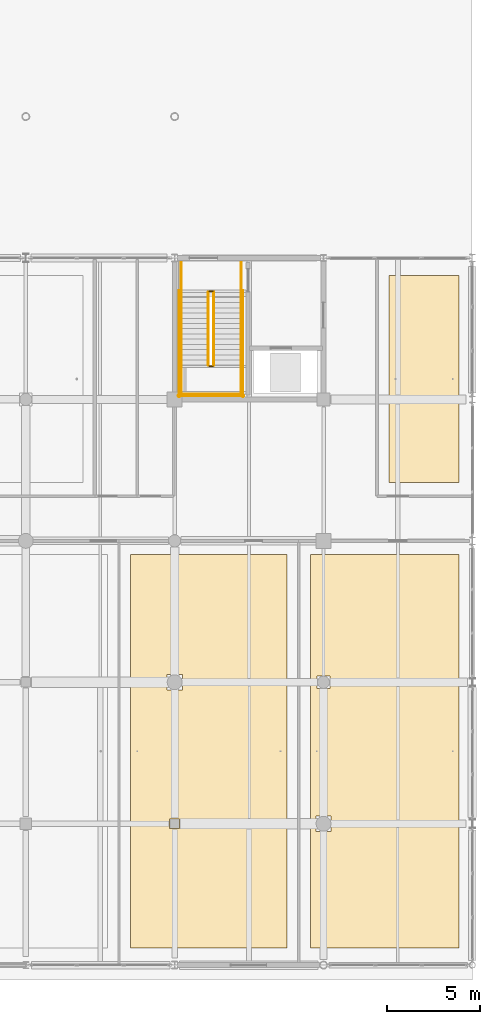
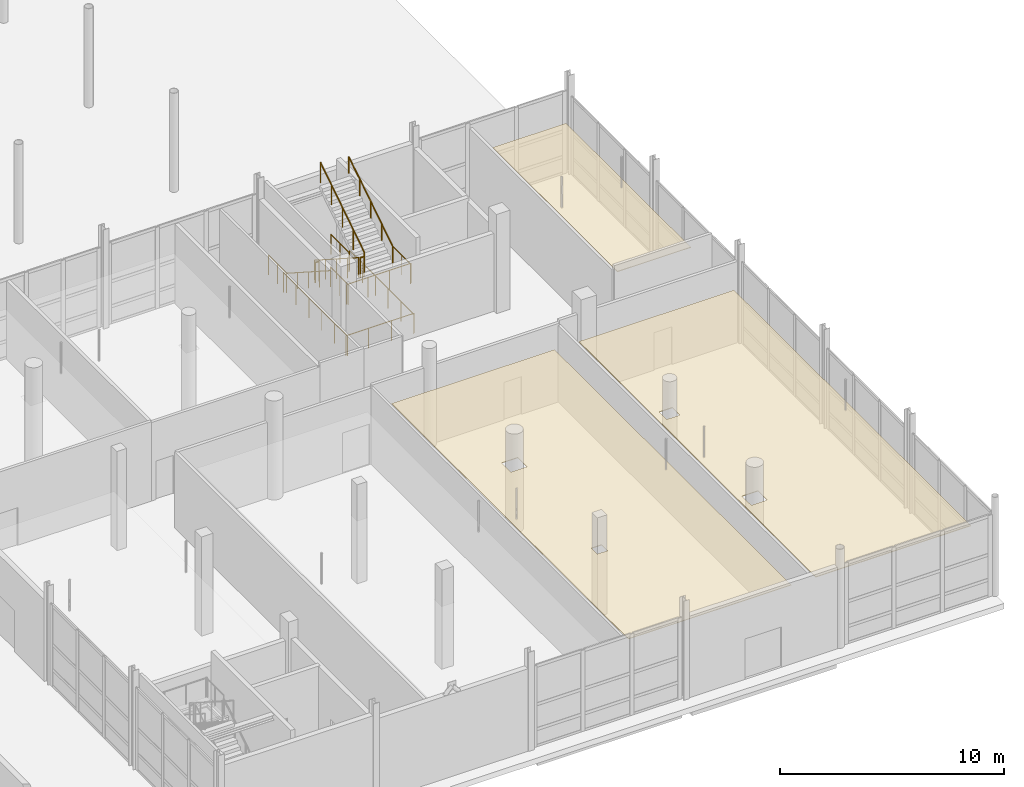
# One storey, part 122 of 126: 14 railings, 3 coverings.
"""IFC4 building model written with IfcOpenShell, lengths in metres."""

from ifc_helpers import new_model, si_unit, direction, frame, origin, origin_2d, place, context, subcontext, project, spatial, polyline, circle, outline, extrude, material, layer, layer_set, type_object, element, save


model = new_model("IFC4")

# Units and contexts
model_context = context("Model", 3, precision=1e-05, world=origin(), true_north=direction((0.0, 1.0)))
body_context = subcontext(model_context, "Body", "Model", "MODEL_VIEW")
ifc_project = project(units=[si_unit("LENGTHUNIT", "METRE"), si_unit("AREAUNIT", "SQUARE_METRE"), si_unit("VOLUMEUNIT", "CUBIC_METRE"), si_unit("PLANEANGLEUNIT", "RADIAN"), si_unit("MASSUNIT", "GRAM", prefix="KILO")], contexts=[model_context])

# Site, building, storey
site_placement = place(None, origin())
site = spatial("IfcSite", under=ifc_project, at=site_placement, CompositionType="ELEMENT")
building_placement = place(site_placement, origin())
building = spatial("IfcBuilding", under=site, at=building_placement, Name="Khelvaren Railside Concert Hall", CompositionType="ELEMENT")
storey_placement = place(building_placement, origin())
storey = spatial("IfcBuildingStorey", under=building, at=storey_placement, Name="L00", CompositionType="ELEMENT", Elevation=0.0)

# Coverings
ifc_material_1 = material(Name="Mineral-wool acoustic baffle ceiling", Category="gypsum")
ifc_layer_1 = layer(ifc_material_1, 0.0400390625)
ifc_layer_set_1 = layer_set([ifc_layer_1], Name="Mineral-wool acoustic baffle ceiling")
covering_type_1 = type_object("IfcCoveringType", Name="CLG20", PredefinedType="CEILING", material=ifc_layer_set_1)
covering_1_placement = place(storey_placement, frame((0.0, 0.0, 3.409912109375)))
element("IfcCovering", 1, at=covering_1_placement, inside=storey, type_object=covering_type_1, Name="Suspended Acoustic Ceiling Musicians Entrance Lounge", PredefinedType="CEILING", context=body_context, shape_type="SweptSolid", body=[
    extrude(outline(polyline([(175.2958984375, 0.929931640625), (183.2900390625, 0.929931640625), (183.2900390625, 22.070068359375), (175.2958984375, 22.070068359375), (175.2958984375, 0.929931640625)]), holes=[polyline([(175.5849609375, 7.18505859375), (176.4150390625, 7.18505859375), (176.4150390625, 8.014892578125), (175.5849609375, 8.014892578125), (175.5849609375, 7.18505859375)]), polyline([(175.659912109375, 14.860107421875), (176.340087890625, 14.860107421875), (176.340087890625, 15.5400390625), (175.659912109375, 15.5400390625), (175.659912109375, 14.860107421875)])]), origin(), (0.0, 0.0, 1.0), 0.0400390625),
])
ifc_material_2 = material(Name="Micro-perforated timber acoustic ceiling", Category="wood")
ifc_layer_2 = layer(ifc_material_2, 0.030029296875)
ifc_layer_set_2 = layer_set([ifc_layer_2], Name="Micro-perforated timber acoustic ceiling")
covering_type_2 = type_object("IfcCoveringType", Name="CLG77", PredefinedType="CEILING", material=ifc_layer_set_2)
covering_2_placement = place(storey_placement, frame((0.0, 0.0, 3.419921875)))
element("IfcCovering", 2, at=covering_2_placement, inside=storey, type_object=covering_type_2, Name="Suspended Acoustic Ceiling Brass and Woodwind Rehearsal Room", PredefinedType="CEILING", context=body_context, shape_type="SweptSolid", body=[
    extrude(outline(polyline([(165.638916015625, 0.929931640625), (174.035888671875, 0.929931640625), (174.035888671875, 22.070068359375), (165.638916015625, 22.070068359375), (165.638916015625, 0.929931640625)]), holes=[polyline([(167.735107421875, 7.3349609375), (168.264892578125, 7.3349609375), (168.264892578125, 7.864990234375), (167.735107421875, 7.864990234375), (167.735107421875, 7.3349609375)]), polyline([(167.5849609375, 14.784912109375), (168.4150390625, 14.784912109375), (168.4150390625, 15.614990234375), (167.5849609375, 15.614990234375), (167.5849609375, 14.784912109375)])]), origin(), (0.0, 0.0, 1.0), 0.030029296875),
])
covering_3_placement = place(storey_placement, frame((0.0, 0.0, 3.419921875)))
element("IfcCovering", 3, at=covering_3_placement, inside=storey, type_object=covering_type_2, Name="Suspended Acoustic Ceiling Sound Archive Server Room L00", PredefinedType="CEILING", context=body_context, shape_type="SweptSolid", body=[
    extrude(outline(polyline([(179.510009765625, 25.929931640625), (183.2900390625, 25.929931640625), (183.2900390625, 37.070068359375), (179.510009765625, 37.070068359375), (179.510009765625, 25.929931640625)])), origin(), (0.0, 0.0, 1.0), 0.030029296875),
])

# Railings
ifc_material_3 = material(Name="Painted architectural steel", Category="steel")
railing_type_1 = type_object("IfcRailingType", Name="GRD86", PredefinedType="GUARDRAIL", material=ifc_material_3)
railing_1_placement = place(storey_placement, frame((169.81005859375, 36.159912109375, 0.179931640625)))
element("IfcRailing", 4, at=railing_1_placement, inside=storey, type_object=railing_type_1, Name="L00 ST-04 stair guard 1", PredefinedType="GUARDRAIL", context=body_context, shape_type="SweptSolid", body=[
    extrude(circle(Radius=0.02392578125, at=origin_2d()), frame((0.0, 0.0, 1.076171875), z_axis=(0.0, -0.841171666519, 0.540768182723), x_axis=(1.0, 0.0, 0.0)), (0.0, 0.0, 1.0), 4.66015625),
    extrude(circle(Radius=0.02099609375, at=origin_2d()), origin(), (0.0, 0.0, 1.0), 1.052001953125),
    extrude(circle(Radius=0.02099609375, at=origin_2d()), frame((0.0, -0.97998046875, 0.6298828125)), (0.0, 0.0, 1.0), 1.052001953125),
    extrude(circle(Radius=0.02099609375, at=origin_2d()), frame((0.0, -1.9599609375, 1.260009765625)), (0.0, 0.0, 1.0), 1.052001953125),
    extrude(circle(Radius=0.02099609375, at=origin_2d()), frame((0.0, -2.93994140625, 1.89013671875)), (0.0, 0.0, 1.0), 1.052001953125),
    extrude(circle(Radius=0.02099609375, at=origin_2d()), frame((0.0, -3.919921875, 2.52001953125)), (0.0, 0.0, 1.0), 1.052001953125),
])
railing_2_placement = place(storey_placement, frame((169.860107421875, 32.18994140625, 2.699951171875)))
element("IfcRailing", 5, at=railing_2_placement, inside=storey, type_object=railing_type_1, Name="L00 ST-04 stair guard 2", PredefinedType="GUARDRAIL", context=body_context, shape_type="SweptSolid", body=[
    extrude(circle(Radius=0.02392578125, at=origin_2d()), frame((0.0, 0.0, 1.076171875), z_axis=(1.0, 0.0, 0.0), x_axis=(0.0, 1.0, 0.0)), (0.0, 0.0, 1.0), 0.199951171875),
    extrude(circle(Radius=0.02099609375, at=origin_2d()), origin(), (0.0, 0.0, 1.0), 1.052001953125),
    extrude(circle(Radius=0.02099609375, at=origin_2d()), frame((0.199951171875, 0.0, 0.0)), (0.0, 0.0, 1.0), 1.052001953125),
])
for number, where, name in (
    (6, (168.35009765625, 32.239990234375, 2.699951171875), "L00 ST-04 stair guard 3"),
    (7, (171.570068359375, 32.239990234375, 2.699951171875), "L00 ST-04 stair guard 4"),
):
    element("IfcRailing", number, at=place(storey_placement, frame(where)), inside=storey, type_object=railing_type_1, Name=name, PredefinedType="GUARDRAIL", context=body_context, shape_type="SweptSolid", body=[
        extrude(circle(Radius=0.02392578125, at=origin_2d()), frame((0.0, 0.0, 1.076171875), z_axis=(0.0, -1.0, 0.0), x_axis=(1.0, 0.0, 0.0)), (0.0, 0.0, 1.0), 1.60009765625),
        extrude(circle(Radius=0.02099609375, at=origin_2d()), origin(), (0.0, 0.0, 1.0), 1.052001953125),
        extrude(circle(Radius=0.02099609375, at=origin_2d()), frame((0.0, -0.800048828125, 0.0)), (0.0, 0.0, 1.0), 1.052001953125),
        extrude(circle(Radius=0.02099609375, at=origin_2d()), frame((0.0, -1.60009765625, 0.0)), (0.0, 0.0, 1.0), 1.052001953125),
    ])
railing_3_placement = place(storey_placement, frame((168.300048828125, 30.68994140625, 2.699951171875)))
element("IfcRailing", 8, at=railing_3_placement, inside=storey, type_object=railing_type_1, Name="L00 ST-04 stair guard 5", PredefinedType="GUARDRAIL", context=body_context, shape_type="SweptSolid", body=[
    extrude(circle(Radius=0.02392578125, at=origin_2d()), frame((0.0, 0.0, 1.076171875), z_axis=(1.0, 0.0, 0.0), x_axis=(0.0, 1.0, 0.0)), (0.0, 0.0, 1.0), 3.320068359375),
    extrude(circle(Radius=0.02099609375, at=origin_2d()), origin(), (0.0, 0.0, 1.0), 1.052001953125),
    extrude(circle(Radius=0.02099609375, at=origin_2d()), frame((1.106689453125, 0.0, 0.0)), (0.0, 0.0, 1.0), 1.052001953125),
    extrude(circle(Radius=0.02099609375, at=origin_2d()), frame((2.21337890625, 0.0, 0.0)), (0.0, 0.0, 1.0), 1.052001953125),
    extrude(circle(Radius=0.02099609375, at=origin_2d()), frame((3.320068359375, 0.0, 0.0)), (0.0, 0.0, 1.0), 1.052001953125),
])
railing_4_placement = place(storey_placement, frame((170.110107421875, 32.239990234375, 2.8798828125)))
element("IfcRailing", 9, at=railing_4_placement, inside=storey, type_object=railing_type_1, Name="L00 ST-04 stair guard 6", PredefinedType="GUARDRAIL", context=body_context, shape_type="SweptSolid", body=[
    extrude(circle(Radius=0.02392578125, at=origin_2d()), frame((0.0, 0.0, 1.076171875), z_axis=(0.0, 0.841171666519, 0.540768182723), x_axis=(-1.0, 0.0, 0.0)), (0.0, 0.0, 1.0), 4.66015625),
    extrude(circle(Radius=0.02099609375, at=origin_2d()), origin(), (0.0, 0.0, 1.0), 1.052001953125),
    extrude(circle(Radius=0.02099609375, at=origin_2d()), frame((0.0, 0.97998046875, 0.6298828125)), (0.0, 0.0, 1.0), 1.052001953125),
    extrude(circle(Radius=0.02099609375, at=origin_2d()), frame((0.0, 1.9599609375, 1.260009765625)), (0.0, 0.0, 1.0), 1.052001953125),
    extrude(circle(Radius=0.02099609375, at=origin_2d()), frame((0.0, 2.93994140625, 1.89013671875)), (0.0, 0.0, 1.0), 1.052001953125),
    extrude(circle(Radius=0.02099609375, at=origin_2d()), frame((0.0, 3.919921875, 2.52001953125)), (0.0, 0.0, 1.0), 1.052001953125),
])
railing_5_placement = place(storey_placement, frame((169.860107421875, 36.2099609375, 0.0)))
element("IfcRailing", 10, at=railing_5_placement, inside=storey, type_object=railing_type_1, Name="L00 ST-04 stair guard 7", PredefinedType="GUARDRAIL", context=body_context, shape_type="SweptSolid", body=[
    extrude(circle(Radius=0.02392578125, at=origin_2d()), frame((0.0, 0.0, 1.076171875), z_axis=(1.0, 0.0, 0.0), x_axis=(0.0, 1.0, 0.0)), (0.0, 0.0, 1.0), 0.199951171875),
    extrude(circle(Radius=0.02099609375, at=origin_2d()), origin(), (0.0, 0.0, 1.0), 1.052001953125),
    extrude(circle(Radius=0.02099609375, at=origin_2d()), frame((0.199951171875, 0.0, 0.0)), (0.0, 0.0, 1.0), 1.052001953125),
])
for number, where, name in (
    (11, (168.35009765625, 37.760009765625, 0.0), "L00 ST-04 stair guard 8"),
    (12, (171.570068359375, 37.760009765625, 0.0), "L00 ST-04 stair guard 9"),
):
    element("IfcRailing", number, at=place(storey_placement, frame(where)), inside=storey, type_object=railing_type_1, Name=name, PredefinedType="GUARDRAIL", context=body_context, shape_type="SweptSolid", body=[
        extrude(circle(Radius=0.02392578125, at=origin_2d()), frame((0.0, 0.0, 1.076171875), z_axis=(0.0, -1.0, 0.0), x_axis=(1.0, 0.0, 0.0)), (0.0, 0.0, 1.0), 1.60009765625),
        extrude(circle(Radius=0.02099609375, at=origin_2d()), origin(), (0.0, 0.0, 1.0), 1.052001953125),
        extrude(circle(Radius=0.02099609375, at=origin_2d()), frame((0.0, -0.800048828125, 0.0)), (0.0, 0.0, 1.0), 1.052001953125),
        extrude(circle(Radius=0.02099609375, at=origin_2d()), frame((0.0, -1.60009765625, 0.0)), (0.0, 0.0, 1.0), 1.052001953125),
    ])
for number, where, name in (
    (13, (168.25, 36.260009765625, 0.0), "L00 ST-04 stair guard 10"),
    (14, (171.669921875, 36.260009765625, 0.0), "L00 ST-04 stair guard 11"),
):
    element("IfcRailing", number, at=place(storey_placement, frame(where)), inside=storey, type_object=railing_type_1, Name=name, PredefinedType="GUARDRAIL", context=body_context, shape_type="SweptSolid", body=[
        extrude(circle(Radius=0.02392578125, at=origin_2d()), frame((0.0, 0.0, 1.076171875), z_axis=(0.0, -1.0, 0.0), x_axis=(1.0, 0.0, 0.0)), (0.0, 0.0, 1.0), 5.719970703125),
        extrude(circle(Radius=0.02099609375, at=origin_2d()), origin(), (0.0, 0.0, 1.0), 1.052001953125),
        extrude(circle(Radius=0.02099609375, at=origin_2d()), frame((0.0, -1.14404296875, 0.0)), (0.0, 0.0, 1.0), 1.052001953125),
        extrude(circle(Radius=0.02099609375, at=origin_2d()), frame((0.0, -2.2880859375, 0.0)), (0.0, 0.0, 1.0), 1.052001953125),
        extrude(circle(Radius=0.02099609375, at=origin_2d()), frame((0.0, -3.431884765625, 0.0)), (0.0, 0.0, 1.0), 1.052001953125),
        extrude(circle(Radius=0.02099609375, at=origin_2d()), frame((0.0, -4.575927734375, 0.0)), (0.0, 0.0, 1.0), 1.052001953125),
        extrude(circle(Radius=0.02099609375, at=origin_2d()), frame((0.0, -5.719970703125, 0.0)), (0.0, 0.0, 1.0), 1.052001953125),
    ])
railing_6_placement = place(storey_placement, frame((168.199951171875, 30.590087890625, 0.0)))
element("IfcRailing", 15, at=railing_6_placement, inside=storey, type_object=railing_type_1, Name="L00 ST-04 stair guard 12", PredefinedType="GUARDRAIL", context=body_context, shape_type="SweptSolid", body=[
    extrude(circle(Radius=0.02392578125, at=origin_2d()), frame((0.0, 0.0, 1.076171875), z_axis=(1.0, 0.0, 0.0), x_axis=(0.0, 1.0, 0.0)), (0.0, 0.0, 1.0), 3.52001953125),
    extrude(circle(Radius=0.02099609375, at=origin_2d()), origin(), (0.0, 0.0, 1.0), 1.052001953125),
    extrude(circle(Radius=0.02099609375, at=origin_2d()), frame((1.17333984375, 0.0, 0.0)), (0.0, 0.0, 1.0), 1.052001953125),
    extrude(circle(Radius=0.02099609375, at=origin_2d()), frame((2.3466796875, 0.0, 0.0)), (0.0, 0.0, 1.0), 1.052001953125),
    extrude(circle(Radius=0.02099609375, at=origin_2d()), frame((3.52001953125, 0.0, 0.0)), (0.0, 0.0, 1.0), 1.052001953125),
])
ifc_material_4 = material(Name="Brushed stainless steel Grade 316", Category="steel")
railing_type_2 = type_object("IfcRailingType", Name="HRL59", PredefinedType="HANDRAIL", material=ifc_material_4)
railing_7_placement = place(storey_placement, frame((168.35009765625, 36.159912109375, 0.179931640625)))
element("IfcRailing", 16, at=railing_7_placement, inside=storey, type_object=railing_type_2, Name="L00 ST-04 stair handrail 1", PredefinedType="HANDRAIL", context=body_context, shape_type="SweptSolid", body=[
    extrude(circle(Radius=0.02392578125, at=origin_2d()), frame((0.0, 0.0, 0.8759765625), z_axis=(0.0, -0.841171666519, 0.540768182723), x_axis=(1.0, 0.0, 0.0)), (0.0, 0.0, 1.0), 4.66015625),
    extrude(circle(Radius=0.02099609375, at=origin_2d()), origin(), (0.0, 0.0, 1.0), 0.851806640625),
    extrude(circle(Radius=0.02099609375, at=origin_2d()), frame((0.0, -0.97998046875, 0.6298828125)), (0.0, 0.0, 1.0), 0.851806640625),
    extrude(circle(Radius=0.02099609375, at=origin_2d()), frame((0.0, -1.9599609375, 1.260009765625)), (0.0, 0.0, 1.0), 0.851806640625),
    extrude(circle(Radius=0.02099609375, at=origin_2d()), frame((0.0, -2.93994140625, 1.89013671875)), (0.0, 0.0, 1.0), 0.851806640625),
    extrude(circle(Radius=0.02099609375, at=origin_2d()), frame((0.0, -3.919921875, 2.52001953125)), (0.0, 0.0, 1.0), 0.851806640625),
])
railing_8_placement = place(storey_placement, frame((171.570068359375, 32.239990234375, 2.8798828125)))
element("IfcRailing", 17, at=railing_8_placement, inside=storey, type_object=railing_type_2, Name="L00 ST-04 stair handrail 2", PredefinedType="HANDRAIL", context=body_context, shape_type="SweptSolid", body=[
    extrude(circle(Radius=0.02392578125, at=origin_2d()), frame((0.0, 0.0, 0.8759765625), z_axis=(0.0, 0.841171666519, 0.540768182723), x_axis=(-1.0, 0.0, 0.0)), (0.0, 0.0, 1.0), 4.66015625),
    extrude(circle(Radius=0.02099609375, at=origin_2d()), origin(), (0.0, 0.0, 1.0), 0.851806640625),
    extrude(circle(Radius=0.02099609375, at=origin_2d()), frame((0.0, 0.97998046875, 0.6298828125)), (0.0, 0.0, 1.0), 0.851806640625),
    extrude(circle(Radius=0.02099609375, at=origin_2d()), frame((0.0, 1.9599609375, 1.260009765625)), (0.0, 0.0, 1.0), 0.851806640625),
    extrude(circle(Radius=0.02099609375, at=origin_2d()), frame((0.0, 2.93994140625, 1.89013671875)), (0.0, 0.0, 1.0), 0.851806640625),
    extrude(circle(Radius=0.02099609375, at=origin_2d()), frame((0.0, 3.919921875, 2.52001953125)), (0.0, 0.0, 1.0), 0.851806640625),
])

save(model, "model.ifc")
